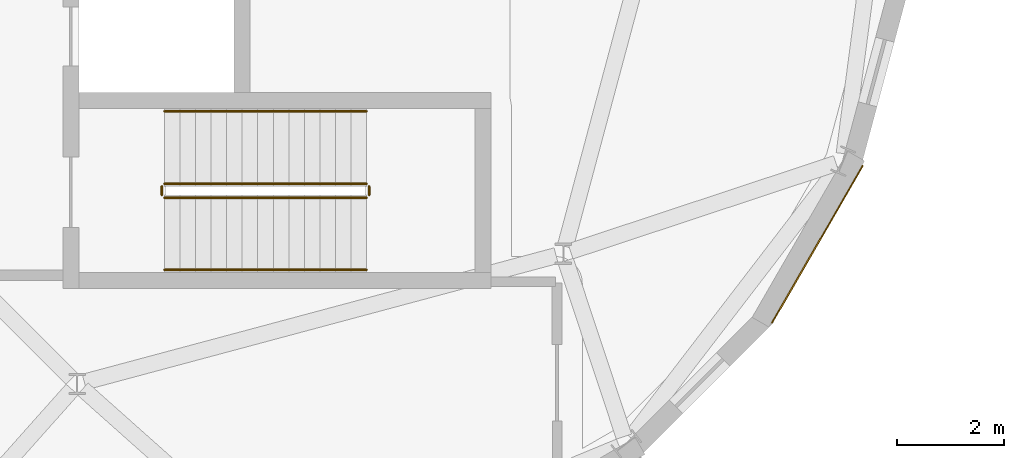
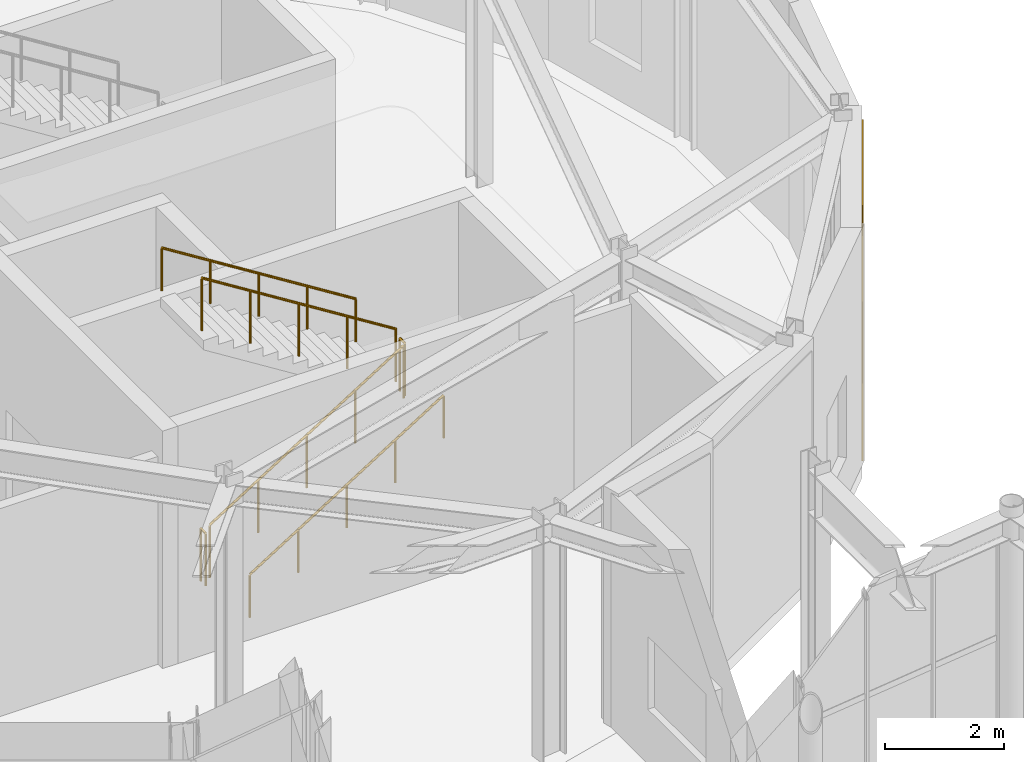
# One storey, part 87 of 97: 6 railings, 1 covering.
"""IFC4 building model written with IfcOpenShell, lengths in metres."""

from ifc_helpers import new_model, si_unit, direction, frame, origin, origin_2d, place, context, subcontext, project, spatial, rectangle, circle, extrude, material, layer, layer_set, type_object, element, save


model = new_model("IFC4")

# Units and contexts
model_context = context("Model", 3, precision=1e-05, world=origin(), true_north=direction((0.0, 1.0)))
body_context = subcontext(model_context, "Body", "Model", "MODEL_VIEW")
ifc_project = project(units=[si_unit("LENGTHUNIT", "METRE"), si_unit("AREAUNIT", "SQUARE_METRE"), si_unit("VOLUMEUNIT", "CUBIC_METRE"), si_unit("PLANEANGLEUNIT", "RADIAN"), si_unit("MASSUNIT", "GRAM", prefix="KILO")], contexts=[model_context])

# Site, building, storey
site_placement = place(None, origin())
site = spatial("IfcSite", under=ifc_project, at=site_placement, CompositionType="ELEMENT")
building_placement = place(site_placement, origin())
building = spatial("IfcBuilding", under=site, at=building_placement, Name="Varnklinge Art Gallery", CompositionType="ELEMENT")
storey_placement = place(building_placement, origin())
storey = spatial("IfcBuildingStorey", under=building, at=storey_placement, Name="L00", CompositionType="ELEMENT", Elevation=0.0)

# Covering
ifc_material_1 = material(Name="Pre-weathered Zinc", Category="metal")
ifc_layer = layer(ifc_material_1, 0.02490234375)
ifc_layer_set = layer_set([ifc_layer], Name="Pre-weathered Zinc")
covering_type = type_object("IfcCoveringType", Name="CLD-ZNC", PredefinedType="CLADDING", material=ifc_layer_set)
covering_placement = place(storey_placement, frame((86.8896484375, 32.0283203125, 0.02734375), z_axis=(0.0, 0.0, 1.0), x_axis=(-0.5, -0.866025403784, 0.0)))
element("IfcCovering", 1, at=covering_placement, inside=storey, type_object=covering_type, Name="L00 Brushed Zinc Drum Cladding EW-V4D-L00-03", PredefinedType="CLADDING", context=body_context, shape_type="SweptSolid", body=[
    extrude(rectangle(XDim=3.398681640625, YDim=0.02490234375, at=origin_2d()), origin(), (0.0, 0.0, 1.0), 4.6298828125),
])

# Railings
ifc_material_2 = material(Name="Steel S355", Category="steel")
railing_type_1 = type_object("IfcRailingType", Name="GR-INT", PredefinedType="GUARDRAIL", material=ifc_material_2)
railing_1_placement = place(storey_placement, frame((74.699951171875, 32.89990234375, 0.18212890625)))
element("IfcRailing", 2, at=railing_1_placement, inside=storey, type_object=railing_type_1, Name="L00 ST-01 stair guard 1", PredefinedType="GUARDRAIL", context=body_context, shape_type="SweptSolid", body=[
    extrude(circle(Radius=0.02392578125, at=origin_2d()), frame((0.0, 0.0, 1.076171875), z_axis=(0.846819337722, 0.0, 0.53188063441), x_axis=(0.0, 1.0, 0.0)), (0.0, 0.0, 1.0), 4.451904296875),
    extrude(circle(Radius=0.02099609375, at=origin_2d()), origin(), (0.0, 0.0, 1.0), 1.052001953125),
    extrude(circle(Radius=0.02099609375, at=origin_2d()), frame((0.9423828125, 0.0, 0.592041015625)), (0.0, 0.0, 1.0), 1.052001953125),
    extrude(circle(Radius=0.02099609375, at=origin_2d()), frame((1.885009765625, 0.0, 1.18408203125)), (0.0, 0.0, 1.0), 1.052001953125),
    extrude(circle(Radius=0.02099609375, at=origin_2d()), frame((2.82763671875, 0.0, 1.77587890625)), (0.0, 0.0, 1.0), 1.052001953125),
    extrude(circle(Radius=0.02099609375, at=origin_2d()), frame((3.77001953125, 0.0, 2.367919921875)), (0.0, 0.0, 1.0), 1.052001953125),
])
railing_2_placement = place(storey_placement, frame((78.52001953125, 32.949951171875, 2.550048828125)))
element("IfcRailing", 3, at=railing_2_placement, inside=storey, type_object=railing_type_1, Name="L00 ST-01 stair guard 2", PredefinedType="GUARDRAIL", context=body_context, shape_type="SweptSolid", body=[
    extrude(circle(Radius=0.02392578125, at=origin_2d()), frame((0.0, 0.0, 1.076171875), z_axis=(0.0, 1.0, 0.0), x_axis=(-1.0, 0.0, 0.0)), (0.0, 0.0, 1.0), 0.16015625),
    extrude(circle(Radius=0.02099609375, at=origin_2d()), origin(), (0.0, 0.0, 1.0), 1.052001953125),
    extrude(circle(Radius=0.02099609375, at=origin_2d()), frame((0.0, 0.16015625, 0.0)), (0.0, 0.0, 1.0), 1.052001953125),
])
railing_3_placement = place(storey_placement, frame((78.469970703125, 33.159912109375, 2.732177734375)))
element("IfcRailing", 4, at=railing_3_placement, inside=storey, type_object=railing_type_1, Name="L00 ST-01 stair guard 3", PredefinedType="GUARDRAIL", context=body_context, shape_type="SweptSolid", body=[
    extrude(circle(Radius=0.02392578125, at=origin_2d()), frame((0.0, 0.0, 1.076171875), z_axis=(-0.846819337722, 0.0, 0.53188063441), x_axis=(0.0, -1.0, 0.0)), (0.0, 0.0, 1.0), 4.451904296875),
    extrude(circle(Radius=0.02099609375, at=origin_2d()), origin(), (0.0, 0.0, 1.0), 1.052001953125),
    extrude(circle(Radius=0.02099609375, at=origin_2d()), frame((-0.9423828125, 0.0, 0.592041015625)), (0.0, 0.0, 1.0), 1.052001953125),
    extrude(circle(Radius=0.02099609375, at=origin_2d()), frame((-1.885009765625, 0.0, 1.18408203125)), (0.0, 0.0, 1.0), 1.052001953125),
    extrude(circle(Radius=0.02099609375, at=origin_2d()), frame((-2.82763671875, 0.0, 1.77587890625)), (0.0, 0.0, 1.0), 1.052001953125),
    extrude(circle(Radius=0.02099609375, at=origin_2d()), frame((-3.77001953125, 0.0, 2.367919921875)), (0.0, 0.0, 1.0), 1.052001953125),
])
railing_4_placement = place(storey_placement, frame((74.64990234375, 32.949951171875, 0.0)))
element("IfcRailing", 5, at=railing_4_placement, inside=storey, type_object=railing_type_1, Name="L00 ST-01 stair guard 4", PredefinedType="GUARDRAIL", context=body_context, shape_type="SweptSolid", body=[
    extrude(circle(Radius=0.02392578125, at=origin_2d()), frame((0.0, 0.0, 1.076171875), z_axis=(0.0, 1.0, 0.0), x_axis=(-1.0, 0.0, 0.0)), (0.0, 0.0, 1.0), 0.16015625),
    extrude(circle(Radius=0.02099609375, at=origin_2d()), origin(), (0.0, 0.0, 1.0), 1.052001953125),
    extrude(circle(Radius=0.02099609375, at=origin_2d()), frame((0.0, 0.16015625, 0.0)), (0.0, 0.0, 1.0), 1.052001953125),
])
ifc_material_3 = material(Name="Steel S355", Category="steel")
railing_type_2 = type_object("IfcRailingType", Name="HR-01", PredefinedType="HANDRAIL", material=ifc_material_3)
railing_5_placement = place(storey_placement, frame((74.699951171875, 31.550048828125, 0.18212890625)))
element("IfcRailing", 6, at=railing_5_placement, inside=storey, type_object=railing_type_2, Name="L00 ST-01 stair handrail 1", PredefinedType="HANDRAIL", context=body_context, shape_type="SweptSolid", body=[
    extrude(circle(Radius=0.02392578125, at=origin_2d()), frame((0.0, 0.0, 0.8759765625), z_axis=(0.846819337722, 0.0, 0.53188063441), x_axis=(0.0, 1.0, 0.0)), (0.0, 0.0, 1.0), 4.451904296875),
    extrude(circle(Radius=0.02099609375, at=origin_2d()), origin(), (0.0, 0.0, 1.0), 0.851806640625),
    extrude(circle(Radius=0.02099609375, at=origin_2d()), frame((0.9423828125, 0.0, 0.592041015625)), (0.0, 0.0, 1.0), 0.851806640625),
    extrude(circle(Radius=0.02099609375, at=origin_2d()), frame((1.885009765625, 0.0, 1.18408203125)), (0.0, 0.0, 1.0), 0.851806640625),
    extrude(circle(Radius=0.02099609375, at=origin_2d()), frame((2.82763671875, 0.0, 1.77587890625)), (0.0, 0.0, 1.0), 0.851806640625),
    extrude(circle(Radius=0.02099609375, at=origin_2d()), frame((3.77001953125, 0.0, 2.367919921875)), (0.0, 0.0, 1.0), 0.851806640625),
])
railing_6_placement = place(storey_placement, frame((78.469970703125, 34.510009765625, 2.732177734375)))
element("IfcRailing", 7, at=railing_6_placement, inside=storey, type_object=railing_type_2, Name="L00 ST-01 stair handrail 2", PredefinedType="HANDRAIL", context=body_context, shape_type="SweptSolid", body=[
    extrude(circle(Radius=0.02392578125, at=origin_2d()), frame((0.0, 0.0, 0.8759765625), z_axis=(-0.846819337722, 0.0, 0.53188063441), x_axis=(0.0, -1.0, 0.0)), (0.0, 0.0, 1.0), 4.451904296875),
    extrude(circle(Radius=0.02099609375, at=origin_2d()), origin(), (0.0, 0.0, 1.0), 0.851806640625),
    extrude(circle(Radius=0.02099609375, at=origin_2d()), frame((-0.9423828125, 0.0, 0.592041015625)), (0.0, 0.0, 1.0), 0.851806640625),
    extrude(circle(Radius=0.02099609375, at=origin_2d()), frame((-1.885009765625, 0.0, 1.18408203125)), (0.0, 0.0, 1.0), 0.851806640625),
    extrude(circle(Radius=0.02099609375, at=origin_2d()), frame((-2.82763671875, 0.0, 1.77587890625)), (0.0, 0.0, 1.0), 0.851806640625),
    extrude(circle(Radius=0.02099609375, at=origin_2d()), frame((-3.77001953125, 0.0, 2.367919921875)), (0.0, 0.0, 1.0), 0.851806640625),
])

save(model, "model.ifc")
